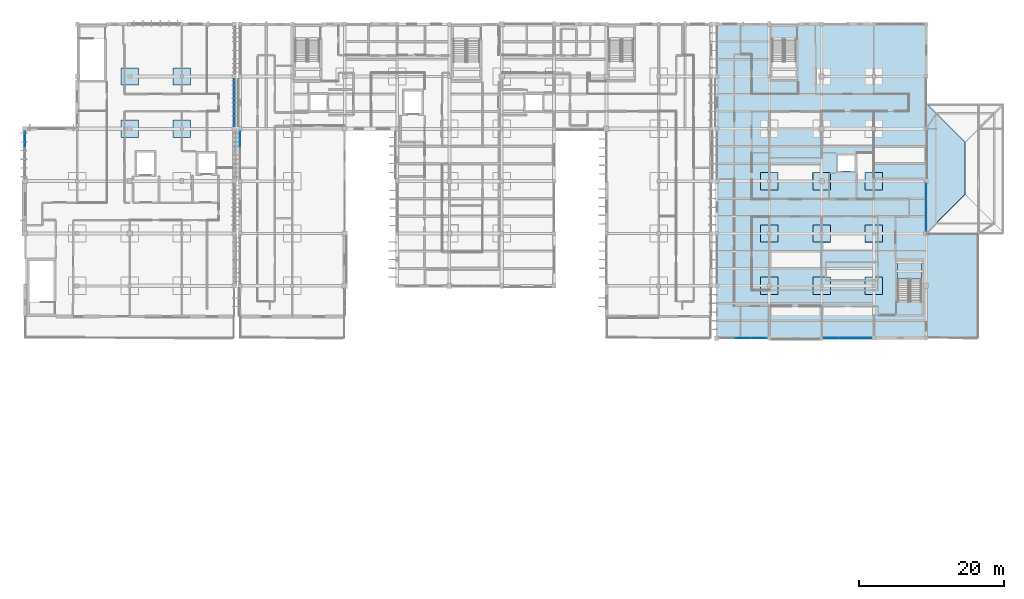
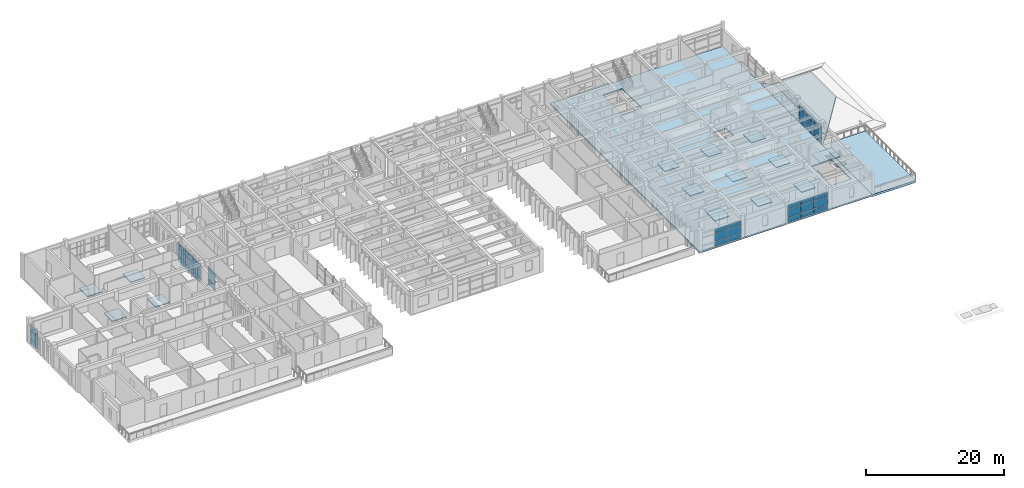
# One storey, part 28 of 55: 39 plates, 18 slabs, 8 elements without a shape of their own.
"""IFC4 building model written with IfcOpenShell, lengths in metres."""

from ifc_helpers import new_model, si_unit, direction, frame, origin, origin_2d, place, context, subcontext, project, spatial, polyline, rectangle, outline, extrude, material, layer, layer_set, type_object, element, aggregate, save


model = new_model("IFC4")

# Units and contexts
model_context = context("Model", 3, precision=1e-05, world=origin(), true_north=direction((0.0, 1.0)))
body_context = subcontext(model_context, "Body", "Model", "MODEL_VIEW")
ifc_project = project(units=[si_unit("LENGTHUNIT", "METRE"), si_unit("AREAUNIT", "SQUARE_METRE"), si_unit("VOLUMEUNIT", "CUBIC_METRE"), si_unit("PLANEANGLEUNIT", "RADIAN"), si_unit("MASSUNIT", "GRAM", prefix="KILO")], contexts=[model_context])

# Site, building, storey
site_placement = place(None, origin())
site = spatial("IfcSite", under=ifc_project, at=site_placement, CompositionType="ELEMENT")
building_placement = place(site_placement, origin())
building = spatial("IfcBuilding", under=site, at=building_placement, Name="Steenspoor Specialist Clinic", CompositionType="ELEMENT")
storey_placement = place(building_placement, frame((0.0, 0.0, 13.199951171875)))
storey = spatial("IfcBuildingStorey", under=building, at=storey_placement, Name="L03", CompositionType="ELEMENT", Elevation=13.199951171875)

# Curtain wall, plates
ifc_material_1 = material(Name="Thermally broken aluminium and low-emissivity glass", Category="aluminium")
curtain_wall_type_1 = type_object("IfcCurtainWallType", Name="CW-HALL-480X820", PredefinedType="USERDEFINED", material=ifc_material_1)
curtain_wall_1_placement = place(storey_placement, origin())
curtain_wall_1 = element("IfcCurtainWall", 1, at=curtain_wall_1_placement, inside=storey, type_object=curtain_wall_type_1, Name="Unitised Curtain Wall CW-V6-L03-195", ObjectType="UNITISED GLAZING", PredefinedType="USERDEFINED")
ifc_material_2 = material(Name="Double low-emissivity insulated glass", Category="glass")
ifc_layer_1 = layer(ifc_material_2, 0.035888671875)
ifc_layer_set_1 = layer_set([ifc_layer_1], Name="Double low-emissivity insulated glass")
plate_type_1 = type_object("IfcPlateType", Name="CW-PAN-GL36", PredefinedType="CURTAIN_PANEL", material=ifc_layer_set_1)
plate_1_placement = place(storey_placement, frame((123.78369140625, 65.14990234375, 0.080078125), z_axis=(0.0, 0.0, 1.0), x_axis=(-1.0, 0.0, 0.0)))
plate_1 = element("IfcPlate", 2, at=plate_1_placement, type_object=plate_type_1, Name="CW-03 panel 1.1", PredefinedType="CURTAIN_PANEL", context=body_context, shape_type="SweptSolid", body=[
    extrude(rectangle(XDim=2.1025390625, YDim=0.035888671875, at=origin_2d()), origin(), (0.0, 0.0, 1.0), 0.780029296875),
])
plate_2_placement = place(storey_placement, frame((123.78369140625, 65.14990234375, 0.93994140625), z_axis=(0.0, 0.0, 1.0), x_axis=(-1.0, 0.0, 0.0)))
plate_2 = element("IfcPlate", 3, at=plate_2_placement, type_object=plate_type_1, Name="CW-03 panel 1.2", PredefinedType="CURTAIN_PANEL", context=body_context, shape_type="SweptSolid", body=[
    extrude(rectangle(XDim=2.1025390625, YDim=0.035888671875, at=origin_2d()), origin(), (0.0, 0.0, 1.0), 1.3701171875),
])
plate_3_placement = place(storey_placement, frame((123.78369140625, 65.14990234375, 2.39013671875), z_axis=(0.0, 0.0, 1.0), x_axis=(-1.0, 0.0, 0.0)))
plate_3 = element("IfcPlate", 4, at=plate_3_placement, type_object=plate_type_1, Name="CW-03 panel 1.3", PredefinedType="CURTAIN_PANEL", context=body_context, shape_type="SweptSolid", body=[
    extrude(rectangle(XDim=2.1025390625, YDim=0.035888671875, at=origin_2d()), origin(), (0.0, 0.0, 1.0), 0.659912109375),
])
plate_4_placement = place(storey_placement, frame((121.60009765625, 65.14990234375, 0.080078125), z_axis=(0.0, 0.0, 1.0), x_axis=(-1.0, 0.0, 0.0)))
plate_4 = element("IfcPlate", 5, at=plate_4_placement, type_object=plate_type_1, Name="CW-03 panel 2.1", PredefinedType="CURTAIN_PANEL", context=body_context, shape_type="SweptSolid", body=[
    extrude(rectangle(XDim=2.135009765625, YDim=0.035888671875, at=origin_2d()), origin(), (0.0, 0.0, 1.0), 0.780029296875),
])
plate_5_placement = place(storey_placement, frame((121.60009765625, 65.14990234375, 0.93994140625), z_axis=(0.0, 0.0, 1.0), x_axis=(-1.0, 0.0, 0.0)))
plate_5 = element("IfcPlate", 6, at=plate_5_placement, type_object=plate_type_1, Name="CW-03 panel 2.2", PredefinedType="CURTAIN_PANEL", context=body_context, shape_type="SweptSolid", body=[
    extrude(rectangle(XDim=2.135009765625, YDim=0.035888671875, at=origin_2d()), origin(), (0.0, 0.0, 1.0), 1.3701171875),
])
plate_6_placement = place(storey_placement, frame((121.60009765625, 65.14990234375, 2.39013671875), z_axis=(0.0, 0.0, 1.0), x_axis=(-1.0, 0.0, 0.0)))
plate_6 = element("IfcPlate", 7, at=plate_6_placement, type_object=plate_type_1, Name="CW-03 panel 2.3", PredefinedType="CURTAIN_PANEL", context=body_context, shape_type="SweptSolid", body=[
    extrude(rectangle(XDim=2.135009765625, YDim=0.035888671875, at=origin_2d()), origin(), (0.0, 0.0, 1.0), 0.659912109375),
])
aggregate(curtain_wall_1, [plate_1, plate_2, plate_3, plate_4, plate_5, plate_6])

curtain_wall_type_2 = type_object("IfcCurtainWallType", Name="CW-HALL-660X820", PredefinedType="USERDEFINED", material=ifc_material_1)
curtain_wall_2_placement = place(storey_placement, origin())
curtain_wall_2 = element("IfcCurtainWall", 8, at=curtain_wall_2_placement, inside=storey, type_object=curtain_wall_type_2, Name="Unitised Curtain Wall CW-V4-L03-121", ObjectType="UNITISED GLAZING", PredefinedType="USERDEFINED")
ifc_material_3 = material(Name="Triple acoustic laminated low-emissivity glass", Category="glass")
ifc_layer_2 = layer(ifc_material_3, 0.048095703125)
ifc_layer_set_2 = layer_set([ifc_layer_2], Name="Triple acoustic laminated low-emissivity glass")
plate_type_2 = type_object("IfcPlateType", Name="CW-PAN-GL48", PredefinedType="CURTAIN_PANEL", material=ifc_layer_set_2)
plate_7_placement = place(storey_placement, frame((52.39990234375, 92.530029296875, 0.070068359375), z_axis=(0.0, 0.0, 1.0), x_axis=(0.0, 1.0, 0.0)))
plate_7 = element("IfcPlate", 9, at=plate_7_placement, type_object=plate_type_2, Name="CW-01 panel 3.1", PredefinedType="CURTAIN_PANEL", context=body_context, shape_type="SweptSolid", body=[
    extrude(rectangle(XDim=2.080078125, YDim=0.048095703125, at=origin_2d()), origin(), (0.0, 0.0, 1.0), 0.794921875),
])
plate_8_placement = place(storey_placement, frame((52.39990234375, 92.530029296875, 0.93505859375), z_axis=(0.0, 0.0, 1.0), x_axis=(0.0, 1.0, 0.0)))
plate_8 = element("IfcPlate", 10, at=plate_8_placement, type_object=plate_type_2, Name="CW-01 panel 3.2", PredefinedType="CURTAIN_PANEL", context=body_context, shape_type="SweptSolid", body=[
    extrude(rectangle(XDim=2.080078125, YDim=0.048095703125, at=origin_2d()), origin(), (0.0, 0.0, 1.0), 1.3798828125),
])
plate_9_placement = place(storey_placement, frame((52.39990234375, 92.530029296875, 2.38525390625), z_axis=(0.0, 0.0, 1.0), x_axis=(0.0, 1.0, 0.0)))
plate_9 = element("IfcPlate", 11, at=plate_9_placement, type_object=plate_type_2, Name="CW-01 panel 3.3", PredefinedType="CURTAIN_PANEL", context=body_context, shape_type="SweptSolid", body=[
    extrude(rectangle(XDim=2.080078125, YDim=0.048095703125, at=origin_2d()), origin(), (0.0, 0.0, 1.0), 0.675048828125),
])
aggregate(curtain_wall_2, [plate_7, plate_8, plate_9])

curtain_wall_type_3 = type_object("IfcCurtainWallType", Name="CW-TYP-420X355", PredefinedType="USERDEFINED", material=ifc_material_1)
curtain_wall_3_placement = place(storey_placement, origin())
curtain_wall_3 = element("IfcCurtainWall", 12, at=curtain_wall_3_placement, inside=storey, type_object=curtain_wall_type_3, Name="Unitised Curtain Wall CW-V5-L03-157", ObjectType="UNITISED GLAZING", PredefinedType="USERDEFINED")
plate_10_placement = place(storey_placement, frame((22.800048828125, 92.517578125, 0.06494140625), z_axis=(0.0, 0.0, 1.0), x_axis=(0.0, 1.0, 0.0)))
plate_10 = element("IfcPlate", 13, at=plate_10_placement, type_object=plate_type_2, Name="CW-13 panel 3.1", PredefinedType="CURTAIN_PANEL", context=body_context, shape_type="SweptSolid", body=[
    extrude(rectangle(XDim=2.054931640625, YDim=0.048095703125, at=origin_2d()), origin(), (0.0, 0.0, 1.0), 0.802490234375),
])
plate_11_placement = place(storey_placement, frame((22.800048828125, 92.517578125, 0.9326171875), z_axis=(0.0, 0.0, 1.0), x_axis=(0.0, 1.0, 0.0)))
plate_11 = element("IfcPlate", 14, at=plate_11_placement, type_object=plate_type_2, Name="CW-13 panel 3.2", PredefinedType="CURTAIN_PANEL", context=body_context, shape_type="SweptSolid", body=[
    extrude(rectangle(XDim=2.054931640625, YDim=0.048095703125, at=origin_2d()), origin(), (0.0, 0.0, 1.0), 1.385009765625),
])
plate_12_placement = place(storey_placement, frame((22.800048828125, 92.517578125, 2.382568359375), z_axis=(0.0, 0.0, 1.0), x_axis=(0.0, 1.0, 0.0)))
plate_12 = element("IfcPlate", 15, at=plate_12_placement, type_object=plate_type_2, Name="CW-13 panel 3.3", PredefinedType="CURTAIN_PANEL", context=body_context, shape_type="SweptSolid", body=[
    extrude(rectangle(XDim=2.054931640625, YDim=0.048095703125, at=origin_2d()), origin(), (0.0, 0.0, 1.0), 0.9326171875),
])
aggregate(curtain_wall_3, [plate_10, plate_11, plate_12])

curtain_wall_type_4 = type_object("IfcCurtainWallType", Name="CW-TYP-240X355", PredefinedType="USERDEFINED", material=ifc_material_1)
curtain_wall_4_placement = place(storey_placement, origin())
curtain_wall_4 = element("IfcCurtainWall", 16, at=curtain_wall_4_placement, inside=storey, type_object=curtain_wall_type_4, Name="Unitised Curtain Wall CW-V5-L03-160", ObjectType="UNITISED GLAZING", PredefinedType="USERDEFINED")
plate_13_placement = place(storey_placement, frame((51.60009765625, 99.735107421875, 0.080078125), z_axis=(0.0, 0.0, 1.0), x_axis=(0.0, -1.0, 0.0)))
plate_13 = element("IfcPlate", 17, at=plate_13_placement, type_object=plate_type_2, Name="CW-16 panel 1.1", PredefinedType="CURTAIN_PANEL", context=body_context, shape_type="SweptSolid", body=[
    extrude(rectangle(XDim=2.110107421875, YDim=0.048095703125, at=origin_2d()), origin(), (0.0, 0.0, 1.0), 0.780029296875),
])
plate_14_placement = place(storey_placement, frame((51.60009765625, 99.735107421875, 0.93994140625), z_axis=(0.0, 0.0, 1.0), x_axis=(0.0, -1.0, 0.0)))
plate_14 = element("IfcPlate", 18, at=plate_14_placement, type_object=plate_type_2, Name="CW-16 panel 1.2", PredefinedType="CURTAIN_PANEL", context=body_context, shape_type="SweptSolid", body=[
    extrude(rectangle(XDim=2.110107421875, YDim=0.048095703125, at=origin_2d()), origin(), (0.0, 0.0, 1.0), 1.3701171875),
])
plate_15_placement = place(storey_placement, frame((51.60009765625, 99.735107421875, 2.39013671875), z_axis=(0.0, 0.0, 1.0), x_axis=(0.0, -1.0, 0.0)))
plate_15 = element("IfcPlate", 19, at=plate_15_placement, type_object=plate_type_2, Name="CW-16 panel 1.3", PredefinedType="CURTAIN_PANEL", context=body_context, shape_type="SweptSolid", body=[
    extrude(rectangle(XDim=2.110107421875, YDim=0.048095703125, at=origin_2d()), origin(), (0.0, 0.0, 1.0), 0.909912109375),
])
plate_16_placement = place(storey_placement, frame((51.60009765625, 97.550048828125, 0.080078125), z_axis=(0.0, 0.0, 1.0), x_axis=(0.0, -1.0, 0.0)))
plate_16 = element("IfcPlate", 20, at=plate_16_placement, type_object=plate_type_2, Name="CW-16 panel 2.1", PredefinedType="CURTAIN_PANEL", context=body_context, shape_type="SweptSolid", body=[
    extrude(rectangle(XDim=2.139892578125, YDim=0.048095703125, at=origin_2d()), origin(), (0.0, 0.0, 1.0), 0.780029296875),
])
plate_17_placement = place(storey_placement, frame((51.60009765625, 97.550048828125, 0.93994140625), z_axis=(0.0, 0.0, 1.0), x_axis=(0.0, -1.0, 0.0)))
plate_17 = element("IfcPlate", 21, at=plate_17_placement, type_object=plate_type_2, Name="CW-16 panel 2.2", PredefinedType="CURTAIN_PANEL", context=body_context, shape_type="SweptSolid", body=[
    extrude(rectangle(XDim=2.139892578125, YDim=0.048095703125, at=origin_2d()), origin(), (0.0, 0.0, 1.0), 1.3701171875),
])
plate_18_placement = place(storey_placement, frame((51.60009765625, 97.550048828125, 2.39013671875), z_axis=(0.0, 0.0, 1.0), x_axis=(0.0, -1.0, 0.0)))
plate_18 = element("IfcPlate", 22, at=plate_18_placement, type_object=plate_type_2, Name="CW-16 panel 2.3", PredefinedType="CURTAIN_PANEL", context=body_context, shape_type="SweptSolid", body=[
    extrude(rectangle(XDim=2.139892578125, YDim=0.048095703125, at=origin_2d()), origin(), (0.0, 0.0, 1.0), 0.909912109375),
])
plate_19_placement = place(storey_placement, frame((51.60009765625, 95.364990234375, 0.080078125), z_axis=(0.0, 0.0, 1.0), x_axis=(0.0, -1.0, 0.0)))
plate_19 = element("IfcPlate", 23, at=plate_19_placement, type_object=plate_type_2, Name="CW-16 panel 3.1", PredefinedType="CURTAIN_PANEL", context=body_context, shape_type="SweptSolid", body=[
    extrude(rectangle(XDim=2.110107421875, YDim=0.048095703125, at=origin_2d()), origin(), (0.0, 0.0, 1.0), 0.780029296875),
])
plate_20_placement = place(storey_placement, frame((51.60009765625, 95.364990234375, 0.93994140625), z_axis=(0.0, 0.0, 1.0), x_axis=(0.0, -1.0, 0.0)))
plate_20 = element("IfcPlate", 24, at=plate_20_placement, type_object=plate_type_2, Name="CW-16 panel 3.2", PredefinedType="CURTAIN_PANEL", context=body_context, shape_type="SweptSolid", body=[
    extrude(rectangle(XDim=2.110107421875, YDim=0.048095703125, at=origin_2d()), origin(), (0.0, 0.0, 1.0), 1.3701171875),
])
plate_21_placement = place(storey_placement, frame((51.60009765625, 95.364990234375, 2.39013671875), z_axis=(0.0, 0.0, 1.0), x_axis=(0.0, -1.0, 0.0)))
plate_21 = element("IfcPlate", 25, at=plate_21_placement, type_object=plate_type_2, Name="CW-16 panel 3.3", PredefinedType="CURTAIN_PANEL", context=body_context, shape_type="SweptSolid", body=[
    extrude(rectangle(XDim=2.110107421875, YDim=0.048095703125, at=origin_2d()), origin(), (0.0, 0.0, 1.0), 0.909912109375),
])
aggregate(curtain_wall_4, [plate_13, plate_14, plate_15, plate_16, plate_17, plate_18, plate_19, plate_20, plate_21])

curtain_wall_type_5 = type_object("IfcCurtainWallType", Name="CW-TYP-650X355", PredefinedType="USERDEFINED", material=ifc_material_1)
curtain_wall_5_placement = place(storey_placement, origin())
curtain_wall_5 = element("IfcCurtainWall", 26, at=curtain_wall_5_placement, inside=storey, type_object=curtain_wall_type_5, Name="Unitised Curtain Wall CW-V6-L03-202", ObjectType="UNITISED GLAZING", PredefinedType="USERDEFINED")
plate_22_placement = place(storey_placement, frame((146.800048828125, 85.322509765625, 0.06494140625), z_axis=(0.0, 0.0, 1.0), x_axis=(0.0, -1.0, 0.0)))
plate_22 = element("IfcPlate", 27, at=plate_22_placement, type_object=plate_type_2, Name="CW-10 panel 1.1", PredefinedType="CURTAIN_PANEL", context=body_context, shape_type="SweptSolid", body=[
    extrude(rectangle(XDim=2.0849609375, YDim=0.048095703125, at=origin_2d()), origin(), (0.0, 0.0, 1.0), 0.802490234375),
])
plate_23_placement = place(storey_placement, frame((146.800048828125, 85.322509765625, 0.9326171875), z_axis=(0.0, 0.0, 1.0), x_axis=(0.0, -1.0, 0.0)))
plate_23 = element("IfcPlate", 28, at=plate_23_placement, type_object=plate_type_2, Name="CW-10 panel 1.2", PredefinedType="CURTAIN_PANEL", context=body_context, shape_type="SweptSolid", body=[
    extrude(rectangle(XDim=2.0849609375, YDim=0.048095703125, at=origin_2d()), origin(), (0.0, 0.0, 1.0), 1.385009765625),
])
plate_24_placement = place(storey_placement, frame((146.800048828125, 85.322509765625, 2.382568359375), z_axis=(0.0, 0.0, 1.0), x_axis=(0.0, -1.0, 0.0)))
plate_24 = element("IfcPlate", 29, at=plate_24_placement, type_object=plate_type_2, Name="CW-10 panel 1.3", PredefinedType="CURTAIN_PANEL", context=body_context, shape_type="SweptSolid", body=[
    extrude(rectangle(XDim=2.0849609375, YDim=0.048095703125, at=origin_2d()), origin(), (0.0, 0.0, 1.0), 0.6826171875),
])
plate_25_placement = place(storey_placement, frame((146.800048828125, 83.16259765625, 0.06494140625), z_axis=(0.0, 0.0, 1.0), x_axis=(0.0, -1.0, 0.0)))
plate_25 = element("IfcPlate", 30, at=plate_25_placement, type_object=plate_type_2, Name="CW-10 panel 2.1", PredefinedType="CURTAIN_PANEL", context=body_context, shape_type="SweptSolid", body=[
    extrude(rectangle(XDim=2.114990234375, YDim=0.048095703125, at=origin_2d()), origin(), (0.0, 0.0, 1.0), 0.802490234375),
])
plate_26_placement = place(storey_placement, frame((146.800048828125, 83.16259765625, 0.9326171875), z_axis=(0.0, 0.0, 1.0), x_axis=(0.0, -1.0, 0.0)))
plate_26 = element("IfcPlate", 31, at=plate_26_placement, type_object=plate_type_2, Name="CW-10 panel 2.2", PredefinedType="CURTAIN_PANEL", context=body_context, shape_type="SweptSolid", body=[
    extrude(rectangle(XDim=2.114990234375, YDim=0.048095703125, at=origin_2d()), origin(), (0.0, 0.0, 1.0), 1.385009765625),
])
plate_27_placement = place(storey_placement, frame((146.800048828125, 83.16259765625, 2.382568359375), z_axis=(0.0, 0.0, 1.0), x_axis=(0.0, -1.0, 0.0)))
plate_27 = element("IfcPlate", 32, at=plate_27_placement, type_object=plate_type_2, Name="CW-10 panel 2.3", PredefinedType="CURTAIN_PANEL", context=body_context, shape_type="SweptSolid", body=[
    extrude(rectangle(XDim=2.114990234375, YDim=0.048095703125, at=origin_2d()), origin(), (0.0, 0.0, 1.0), 0.6826171875),
])
plate_28_placement = place(storey_placement, frame((146.800048828125, 81.00244140625, 0.06494140625), z_axis=(0.0, 0.0, 1.0), x_axis=(0.0, -1.0, 0.0)))
plate_28 = element("IfcPlate", 33, at=plate_28_placement, type_object=plate_type_2, Name="CW-10 panel 3.1", PredefinedType="CURTAIN_PANEL", context=body_context, shape_type="SweptSolid", body=[
    extrude(rectangle(XDim=2.0849609375, YDim=0.048095703125, at=origin_2d()), origin(), (0.0, 0.0, 1.0), 0.802490234375),
])
plate_29_placement = place(storey_placement, frame((146.800048828125, 81.00244140625, 0.9326171875), z_axis=(0.0, 0.0, 1.0), x_axis=(0.0, -1.0, 0.0)))
plate_29 = element("IfcPlate", 34, at=plate_29_placement, type_object=plate_type_2, Name="CW-10 panel 3.2", PredefinedType="CURTAIN_PANEL", context=body_context, shape_type="SweptSolid", body=[
    extrude(rectangle(XDim=2.0849609375, YDim=0.048095703125, at=origin_2d()), origin(), (0.0, 0.0, 1.0), 1.385009765625),
])
plate_30_placement = place(storey_placement, frame((146.800048828125, 81.00244140625, 2.382568359375), z_axis=(0.0, 0.0, 1.0), x_axis=(0.0, -1.0, 0.0)))
plate_30 = element("IfcPlate", 35, at=plate_30_placement, type_object=plate_type_2, Name="CW-10 panel 3.3", PredefinedType="CURTAIN_PANEL", context=body_context, shape_type="SweptSolid", body=[
    extrude(rectangle(XDim=2.0849609375, YDim=0.048095703125, at=origin_2d()), origin(), (0.0, 0.0, 1.0), 0.6826171875),
])
aggregate(curtain_wall_5, [plate_22, plate_23, plate_24, plate_25, plate_26, plate_27, plate_28, plate_29, plate_30])

curtain_wall_type_6 = type_object("IfcCurtainWallType", Name="CW-HALL-650X820", PredefinedType="USERDEFINED", material=ifc_material_1)
curtain_wall_6_placement = place(storey_placement, origin())
curtain_wall_6 = element("IfcCurtainWall", 36, at=curtain_wall_6_placement, inside=storey, type_object=curtain_wall_type_6, Name="Unitised Curtain Wall CW-V6-L03-194", ObjectType="UNITISED GLAZING", PredefinedType="USERDEFINED")
ifc_material_4 = material(Name="Insulated glazed ceramic spandrel panel", Category="glass")
ifc_layer_3 = layer(ifc_material_4, 0.074951171875)
ifc_layer_set_3 = layer_set([ifc_layer_3], Name="Insulated glazed ceramic spandrel panel")
plate_type_3 = type_object("IfcPlateType", Name="CW-PAN-SP75", PredefinedType="CURTAIN_PANEL", material=ifc_layer_set_3)
plate_31_placement = place(storey_placement, frame((138.19091796875, 65.14990234375, 0.09033203125), z_axis=(0.0, 0.0, 1.0), x_axis=(-1.0, 0.0, 0.0)))
plate_31 = element("IfcPlate", 37, at=plate_31_placement, type_object=plate_type_3, Name="CW-02 panel 1.1", PredefinedType="CURTAIN_PANEL", context=body_context, shape_type="SweptSolid", body=[
    extrude(rectangle(XDim=2.12841796875, YDim=0.074951171875, at=origin_2d()), origin(), (0.0, 0.0, 1.0), 0.764892578125),
])
plate_32_placement = place(storey_placement, frame((138.19091796875, 65.14990234375, 0.94482421875), z_axis=(0.0, 0.0, 1.0), x_axis=(-1.0, 0.0, 0.0)))
plate_32 = element("IfcPlate", 38, at=plate_32_placement, type_object=plate_type_3, Name="CW-02 panel 1.2", PredefinedType="CURTAIN_PANEL", context=body_context, shape_type="SweptSolid", body=[
    extrude(rectangle(XDim=2.12841796875, YDim=0.074951171875, at=origin_2d()), origin(), (0.0, 0.0, 1.0), 1.360107421875),
])
plate_33_placement = place(storey_placement, frame((138.19091796875, 65.14990234375, 2.39501953125), z_axis=(0.0, 0.0, 1.0), x_axis=(-1.0, 0.0, 0.0)))
plate_33 = element("IfcPlate", 39, at=plate_33_placement, type_object=plate_type_3, Name="CW-02 panel 1.3", PredefinedType="CURTAIN_PANEL", context=body_context, shape_type="SweptSolid", body=[
    extrude(rectangle(XDim=2.12841796875, YDim=0.074951171875, at=origin_2d()), origin(), (0.0, 0.0, 1.0), 0.64501953125),
])
plate_34_placement = place(storey_placement, frame((135.97509765625, 65.14990234375, 0.09033203125), z_axis=(0.0, 0.0, 1.0), x_axis=(-1.0, 0.0, 0.0)))
plate_34 = element("IfcPlate", 40, at=plate_34_placement, type_object=plate_type_3, Name="CW-02 panel 2.1", PredefinedType="CURTAIN_PANEL", context=body_context, shape_type="SweptSolid", body=[
    extrude(rectangle(XDim=2.163330078125, YDim=0.074951171875, at=origin_2d()), origin(), (0.0, 0.0, 1.0), 0.764892578125),
])
plate_35_placement = place(storey_placement, frame((135.97509765625, 65.14990234375, 0.94482421875), z_axis=(0.0, 0.0, 1.0), x_axis=(-1.0, 0.0, 0.0)))
plate_35 = element("IfcPlate", 41, at=plate_35_placement, type_object=plate_type_3, Name="CW-02 panel 2.2", PredefinedType="CURTAIN_PANEL", context=body_context, shape_type="SweptSolid", body=[
    extrude(rectangle(XDim=2.163330078125, YDim=0.074951171875, at=origin_2d()), origin(), (0.0, 0.0, 1.0), 1.360107421875),
])
plate_36_placement = place(storey_placement, frame((135.97509765625, 65.14990234375, 2.39501953125), z_axis=(0.0, 0.0, 1.0), x_axis=(-1.0, 0.0, 0.0)))
plate_36 = element("IfcPlate", 42, at=plate_36_placement, type_object=plate_type_3, Name="CW-02 panel 2.3", PredefinedType="CURTAIN_PANEL", context=body_context, shape_type="SweptSolid", body=[
    extrude(rectangle(XDim=2.163330078125, YDim=0.074951171875, at=origin_2d()), origin(), (0.0, 0.0, 1.0), 0.64501953125),
])
plate_37_placement = place(storey_placement, frame((133.75927734375, 65.14990234375, 0.09033203125), z_axis=(0.0, 0.0, 1.0), x_axis=(-1.0, 0.0, 0.0)))
plate_37 = element("IfcPlate", 43, at=plate_37_placement, type_object=plate_type_3, Name="CW-02 panel 3.1", PredefinedType="CURTAIN_PANEL", context=body_context, shape_type="SweptSolid", body=[
    extrude(rectangle(XDim=2.12841796875, YDim=0.074951171875, at=origin_2d()), origin(), (0.0, 0.0, 1.0), 0.764892578125),
])
plate_38_placement = place(storey_placement, frame((133.75927734375, 65.14990234375, 0.94482421875), z_axis=(0.0, 0.0, 1.0), x_axis=(-1.0, 0.0, 0.0)))
plate_38 = element("IfcPlate", 44, at=plate_38_placement, type_object=plate_type_3, Name="CW-02 panel 3.2", PredefinedType="CURTAIN_PANEL", context=body_context, shape_type="SweptSolid", body=[
    extrude(rectangle(XDim=2.12841796875, YDim=0.074951171875, at=origin_2d()), origin(), (0.0, 0.0, 1.0), 1.360107421875),
])
plate_39_placement = place(storey_placement, frame((133.75927734375, 65.14990234375, 2.39501953125), z_axis=(0.0, 0.0, 1.0), x_axis=(-1.0, 0.0, 0.0)))
plate_39 = element("IfcPlate", 45, at=plate_39_placement, type_object=plate_type_3, Name="CW-02 panel 3.3", PredefinedType="CURTAIN_PANEL", context=body_context, shape_type="SweptSolid", body=[
    extrude(rectangle(XDim=2.12841796875, YDim=0.074951171875, at=origin_2d()), origin(), (0.0, 0.0, 1.0), 0.64501953125),
])
aggregate(curtain_wall_6, [plate_31, plate_32, plate_33, plate_34, plate_35, plate_36, plate_37, plate_38, plate_39])

# Slabs
ifc_material_5 = material(Name="Concrete C35/45", Category="concrete")
ifc_layer_4 = layer(ifc_material_5, 0.169921875)
ifc_layer_set_4 = layer_set([ifc_layer_4], Name="Concrete C35/45")
slab_type_1 = type_object("IfcSlabType", Name="SL-DROP-170", PredefinedType="USERDEFINED", material=ifc_layer_set_4)
slab_1_placement = place(storey_placement, frame((0.0, 0.0, -0.419921875)))
element("IfcSlab", 46, at=slab_1_placement, inside=storey, type_object=slab_type_1, Name="Column Drop Panel DROP-V5-L03-124", ObjectType="DROP PANEL", PredefinedType="USERDEFINED", context=body_context, shape_type="SweptSolid", body=[
    extrude(outline(polyline([(38.39990234375, 92.75), (38.39990234375, 95.14990234375), (36.0, 95.14990234375), (36.0, 92.75), (38.39990234375, 92.75)])), origin(), (0.0, 0.0, 1.0), 0.169921875),
])
slab_2_placement = place(storey_placement, frame((0.0, 0.0, -0.419921875)))
element("IfcSlab", 47, at=slab_2_placement, inside=storey, type_object=slab_type_1, Name="Column Drop Panel DROP-V5-L03-125", ObjectType="DROP PANEL", PredefinedType="USERDEFINED", context=body_context, shape_type="SweptSolid", body=[
    extrude(outline(polyline([(38.39990234375, 99.949951171875), (38.39990234375, 102.35009765625), (36.0, 102.35009765625), (36.0, 99.949951171875), (38.39990234375, 99.949951171875)])), origin(), (0.0, 0.0, 1.0), 0.169921875),
])
slab_3_placement = place(storey_placement, frame((0.0, 0.0, -0.419921875)))
element("IfcSlab", 48, at=slab_3_placement, inside=storey, type_object=slab_type_1, Name="Column Drop Panel DROP-V5-L03-129", ObjectType="DROP PANEL", PredefinedType="USERDEFINED", context=body_context, shape_type="SweptSolid", body=[
    extrude(outline(polyline([(45.60009765625, 92.75), (45.60009765625, 95.14990234375), (43.199951171875, 95.14990234375), (43.199951171875, 92.75), (45.60009765625, 92.75)])), origin(), (0.0, 0.0, 1.0), 0.169921875),
])
slab_4_placement = place(storey_placement, frame((0.0, 0.0, -0.419921875)))
element("IfcSlab", 49, at=slab_4_placement, inside=storey, type_object=slab_type_1, Name="Column Drop Panel DROP-V5-L03-130", ObjectType="DROP PANEL", PredefinedType="USERDEFINED", context=body_context, shape_type="SweptSolid", body=[
    extrude(outline(polyline([(45.60009765625, 99.949951171875), (45.60009765625, 102.35009765625), (43.199951171875, 102.35009765625), (43.199951171875, 99.949951171875), (45.60009765625, 99.949951171875)])), origin(), (0.0, 0.0, 1.0), 0.169921875),
])
slab_5_placement = place(storey_placement, frame((0.0, 0.0, -0.419921875)))
element("IfcSlab", 50, at=slab_5_placement, inside=storey, type_object=slab_type_1, Name="Column Drop Panel DROP-V6-L03-160", ObjectType="DROP PANEL", PredefinedType="USERDEFINED", context=body_context, shape_type="SweptSolid", body=[
    extrude(outline(polyline([(126.39990234375, 71.14990234375), (126.39990234375, 73.550048828125), (124.0, 73.550048828125), (124.0, 71.14990234375), (126.39990234375, 71.14990234375)])), origin(), (0.0, 0.0, 1.0), 0.169921875),
])
slab_6_placement = place(storey_placement, frame((0.0, 0.0, -0.419921875)))
element("IfcSlab", 51, at=slab_6_placement, inside=storey, type_object=slab_type_1, Name="Column Drop Panel DROP-V6-L03-161", ObjectType="DROP PANEL", PredefinedType="USERDEFINED", context=body_context, shape_type="SweptSolid", body=[
    extrude(outline(polyline([(126.39990234375, 78.35009765625), (126.39990234375, 80.75), (124.0, 80.75), (124.0, 78.35009765625), (126.39990234375, 78.35009765625)])), origin(), (0.0, 0.0, 1.0), 0.169921875),
])
slab_7_placement = place(storey_placement, frame((0.0, 0.0, -0.419921875)))
element("IfcSlab", 52, at=slab_7_placement, inside=storey, type_object=slab_type_1, Name="Column Drop Panel DROP-V6-L03-162", ObjectType="DROP PANEL", PredefinedType="USERDEFINED", context=body_context, shape_type="SweptSolid", body=[
    extrude(outline(polyline([(126.39990234375, 85.550048828125), (126.39990234375, 87.949951171875), (124.0, 87.949951171875), (124.0, 85.550048828125), (126.39990234375, 85.550048828125)])), origin(), (0.0, 0.0, 1.0), 0.169921875),
])
slab_8_placement = place(storey_placement, frame((0.0, 0.0, -0.419921875)))
element("IfcSlab", 53, at=slab_8_placement, inside=storey, type_object=slab_type_1, Name="Column Drop Panel DROP-V6-L03-164", ObjectType="DROP PANEL", PredefinedType="USERDEFINED", context=body_context, shape_type="SweptSolid", body=[
    extrude(outline(polyline([(133.60009765625, 71.14990234375), (133.60009765625, 73.550048828125), (131.199951171875, 73.550048828125), (131.199951171875, 71.14990234375), (133.60009765625, 71.14990234375)])), origin(), (0.0, 0.0, 1.0), 0.169921875),
])
slab_9_placement = place(storey_placement, frame((0.0, 0.0, -0.419921875)))
element("IfcSlab", 54, at=slab_9_placement, inside=storey, type_object=slab_type_1, Name="Column Drop Panel DROP-V6-L03-165", ObjectType="DROP PANEL", PredefinedType="USERDEFINED", context=body_context, shape_type="SweptSolid", body=[
    extrude(outline(polyline([(133.60009765625, 78.35009765625), (133.60009765625, 80.75), (131.199951171875, 80.75), (131.199951171875, 78.35009765625), (133.60009765625, 78.35009765625)])), origin(), (0.0, 0.0, 1.0), 0.169921875),
])
slab_10_placement = place(storey_placement, frame((0.0, 0.0, -0.419921875)))
element("IfcSlab", 55, at=slab_10_placement, inside=storey, type_object=slab_type_1, Name="Column Drop Panel DROP-V6-L03-166", ObjectType="DROP PANEL", PredefinedType="USERDEFINED", context=body_context, shape_type="SweptSolid", body=[
    extrude(outline(polyline([(133.60009765625, 85.550048828125), (133.60009765625, 87.949951171875), (131.199951171875, 87.949951171875), (131.199951171875, 85.550048828125), (133.60009765625, 85.550048828125)])), origin(), (0.0, 0.0, 1.0), 0.169921875),
])
slab_11_placement = place(storey_placement, frame((0.0, 0.0, -0.419921875)))
element("IfcSlab", 56, at=slab_11_placement, inside=storey, type_object=slab_type_1, Name="Column Drop Panel DROP-V6-L03-169", ObjectType="DROP PANEL", PredefinedType="USERDEFINED", context=body_context, shape_type="SweptSolid", body=[
    extrude(outline(polyline([(140.800048828125, 71.14990234375), (140.800048828125, 73.550048828125), (138.39990234375, 73.550048828125), (138.39990234375, 71.14990234375), (140.800048828125, 71.14990234375)])), origin(), (0.0, 0.0, 1.0), 0.169921875),
])
slab_12_placement = place(storey_placement, frame((0.0, 0.0, -0.419921875)))
element("IfcSlab", 57, at=slab_12_placement, inside=storey, type_object=slab_type_1, Name="Column Drop Panel DROP-V6-L03-170", ObjectType="DROP PANEL", PredefinedType="USERDEFINED", context=body_context, shape_type="SweptSolid", body=[
    extrude(outline(polyline([(140.800048828125, 78.35009765625), (140.800048828125, 80.75), (138.39990234375, 80.75), (138.39990234375, 78.35009765625), (140.800048828125, 78.35009765625)])), origin(), (0.0, 0.0, 1.0), 0.169921875),
])
slab_13_placement = place(storey_placement, frame((0.0, 0.0, -0.419921875)))
element("IfcSlab", 58, at=slab_13_placement, inside=storey, type_object=slab_type_1, Name="Column Drop Panel DROP-V6-L03-171", ObjectType="DROP PANEL", PredefinedType="USERDEFINED", context=body_context, shape_type="SweptSolid", body=[
    extrude(outline(polyline([(140.800048828125, 85.550048828125), (140.800048828125, 87.949951171875), (138.39990234375, 87.949951171875), (138.39990234375, 85.550048828125), (140.800048828125, 85.550048828125)])), origin(), (0.0, 0.0, 1.0), 0.169921875),
])
ifc_layer_5 = layer(ifc_material_5, 0.25)
ifc_layer_set_5 = layer_set([ifc_layer_5], Name="Concrete C35/45")
slab_type_2 = type_object("IfcSlabType", Name="SL-FLAT-250", PredefinedType="FLOOR", material=ifc_layer_set_5)
slab_14_placement = place(storey_placement, frame((0.0, 0.0, -0.25)))
element("IfcSlab", 59, at=slab_14_placement, inside=storey, type_object=slab_type_2, Name="Structural Slab SLAB-V6-L03-051", PredefinedType="FLOOR", context=body_context, shape_type="SweptSolid", body=[
    extrude(outline(polyline([(118.0, 93.949951171875), (118.0, 108.35009765625), (146.800048828125, 108.35009765625), (146.800048828125, 93.949951171875), (146.800048828125, 65.14990234375), (118.0, 65.14990234375), (118.0, 93.949951171875)]), holes=[polyline([(142.85009765625, 75.800048828125), (142.85009765625, 70.14990234375), (146.14990234375, 70.14990234375), (146.14990234375, 75.800048828125), (142.85009765625, 75.800048828125)]), polyline([(134.675048828125, 90.25), (134.675048828125, 88.14990234375), (136.925048828125, 88.14990234375), (136.925048828125, 90.25), (134.675048828125, 90.25)]), polyline([(125.60009765625, 106.35009765625), (125.60009765625, 100.699951171875), (128.89990234375, 100.699951171875), (128.89990234375, 106.35009765625), (125.60009765625, 106.35009765625)])]), origin(), (0.0, 0.0, 1.0), 0.25),
])
ifc_layer_6 = layer(ifc_material_5, 0.3798828125)
ifc_layer_set_6 = layer_set([ifc_layer_6], Name="Concrete C35/45")
slab_type_3 = type_object("IfcSlabType", Name="SL-GARDEN-380", PredefinedType="FLOOR", material=ifc_layer_set_6)
slab_15_placement = place(storey_placement, frame((0.0, 0.0, -0.3798828125)))
element("IfcSlab", 60, at=slab_15_placement, inside=storey, type_object=slab_type_3, Name="Planted Roof Terrace Slab TERR-V6-L03-01", PredefinedType="FLOOR", context=body_context, shape_type="SweptSolid", body=[
    extrude(outline(polyline([(154.0, 65.14990234375), (154.0, 79.550048828125), (146.800048828125, 79.550048828125), (146.800048828125, 65.14990234375), (154.0, 65.14990234375)])), origin(), (0.0, 0.0, 1.0), 0.3798828125),
])

# Stair, slab
stair_type = type_object("IfcStairType", Name="ST-CORE-TYP", PredefinedType="HALF_TURN_STAIR", material=ifc_material_5)
stair_placement = place(storey_placement, origin())
stair = element("IfcStair", 61, at=stair_placement, inside=storey, type_object=stair_type, Name="L03 Enclosed Exit Stair ST-V6B", PredefinedType="HALF_TURN_STAIR")
ifc_layer_7 = layer(ifc_material_5, 0.199951171875)
ifc_layer_set_7 = layer_set([ifc_layer_7], Name="Concrete C35/45")
slab_type_4 = type_object("IfcSlabType", Name="SL-LAND-200", PredefinedType="LANDING", material=ifc_layer_set_7)
slab_16_placement = place(storey_placement, frame((0.0, 0.0, 1.900146484375)))
slab_16 = element("IfcSlab", 62, at=slab_16_placement, type_object=slab_type_4, Name="ST-V6B landing 1", PredefinedType="LANDING", context=body_context, shape_type="SweptSolid", body=[
    extrude(outline(polyline([(146.14990234375, 73.284912109375), (146.14990234375, 75.800048828125), (142.85009765625, 75.800048828125), (142.85009765625, 73.284912109375), (146.14990234375, 73.284912109375)])), origin(), (0.0, 0.0, 1.0), 0.199951171875),
])
aggregate(stair, [slab_16])

# Roof, slabs
ifc_material_6 = material(Name="Extruded terracotta clay roof tile", Category="masonry")
roof_type = type_object("IfcRoofType", Name="ROOF-HIP-TIER", PredefinedType="HIP_ROOF", material=ifc_material_6)
roof_placement = place(storey_placement, origin())
roof = element("IfcRoof", 63, at=roof_placement, inside=storey, type_object=roof_type, Name="Tiered Hipped Roof V6T2", PredefinedType="HIP_ROOF")
ifc_layer_8 = layer(ifc_material_5, 0.14990234375)
ifc_layer_set_8 = layer_set([ifc_layer_8], Name="Concrete C35/45")
slab_type_5 = type_object("IfcSlabType", Name="SL-ROOF-150", PredefinedType="ROOF", material=ifc_layer_set_8)
slab_17_placement = place(storey_placement, frame((148.1708984375, 96.049560546875, 0.33447265625), z_axis=(-0.242036762378, 0.0, 0.970267079549), x_axis=(-0.696295200328, 0.696421983868, -0.173693449463)))
slab_17 = element("IfcSlab", 64, at=slab_17_placement, type_object=slab_type_5, Name="Hipped Roof Slab RSLAB-V6T2-SKW", PredefinedType="ROOF", context=body_context, shape_type="SweptSolid", body=[
    extrude(outline(polyline([(0.0, 0.0), (1.9256492244505445, -1.1102230246251565e-16), (-10.436691113691808, 12.738853080830788), (-10.494446804263028, 10.814070179869324), (0.0, 0.0)])), origin(), (0.0, 0.0, -1.0), 0.14990234375),
])
slab_18_placement = place(storey_placement, frame((148.18896484375, 80.998291015625, 0.343505859375), z_axis=(-0.609451554739, 0.0, 0.792823310976), x_axis=(0.621259947301, 0.621259947301, 0.477569006281)))
slab_18 = element("IfcSlab", 65, at=slab_18_placement, type_object=slab_type_5, Name="Hipped Roof Slab RSLAB-V6T2-W", PredefinedType="ROOF", context=body_context, shape_type="SweptSolid", body=[
    extrude(outline(polyline([(0.0, 0.0), (6.332425015235609, 2.220446049250313e-16), (10.78392848040261, 5.614748461025789), (9.339526981196062, 11.780086246077342), (0.0, 0.0)])), origin(), (0.0, 0.0, -1.0), 0.14990234375),
])
aggregate(roof, [slab_17, slab_18])

save(model, "model.ifc")
